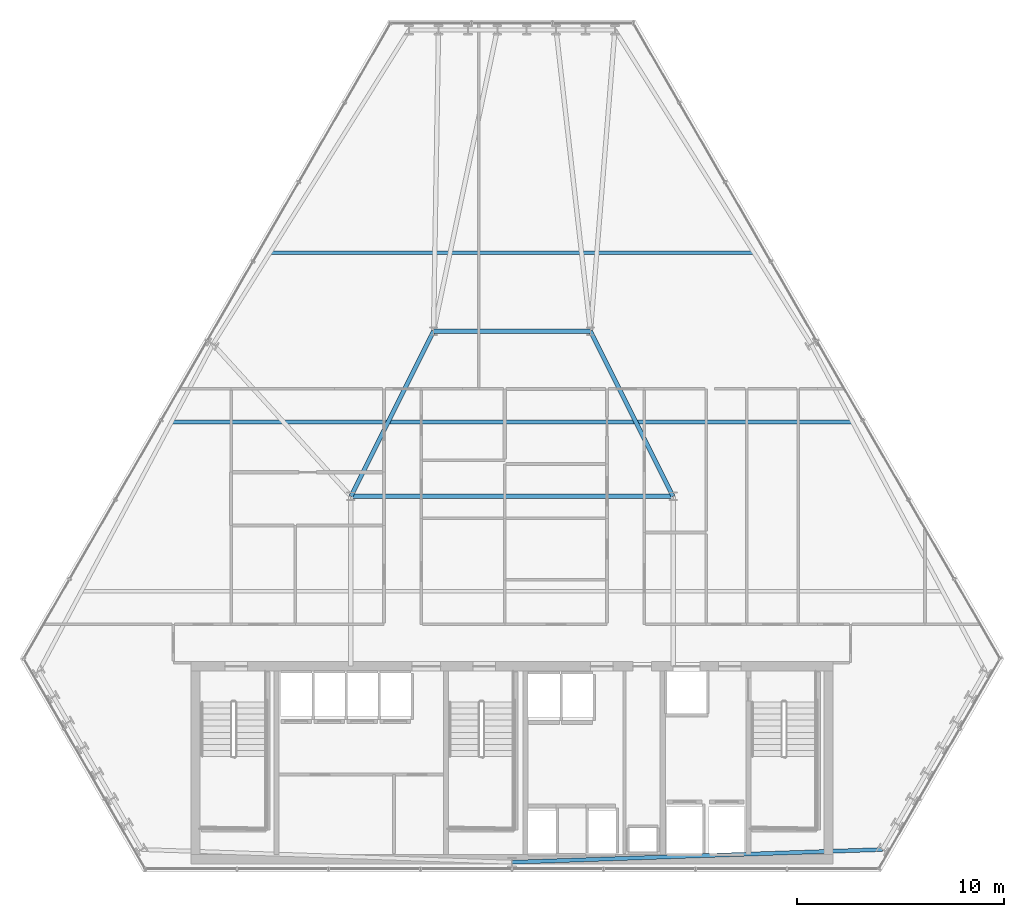
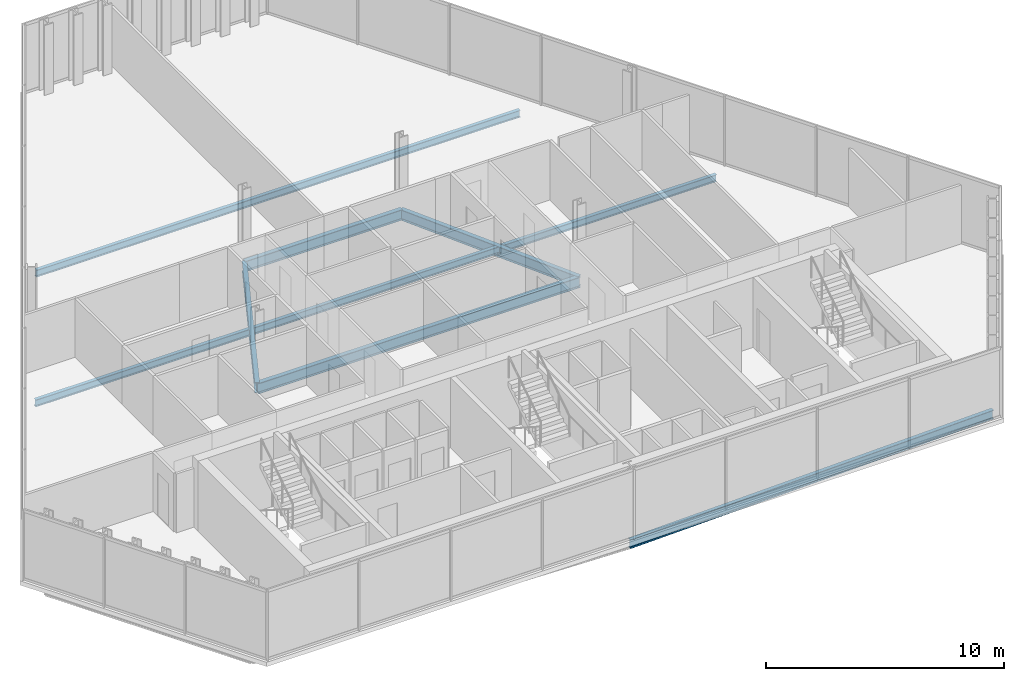
# One storey, part 14 of 31: 7 beams.
"""IFC4 building model written with IfcOpenShell, lengths in metres."""

import ifcopenshell
import ifcopenshell.guid

model = None  # the IFC model being written
_history = None  # IfcOwnerHistory: only IFC2X3 demands one
_inside = {}  # id of a spatial element -> (the spatial element, [elements in it])
_under = {}  # id of a project, library or spatial element -> (it, [spatial elements below it])
_declared = {}  # id of a project -> (the project, [libraries it declares])
_typed = {}  # id of a type object -> (the type object, [elements of that type])
_made_of = {}  # id of a material, layer set ... -> (it, [elements and type objects made of it])


def new_model(schema):
    """Start an empty IFC model of exactly this schema.

    Asked for "IFC4X3", IfcOpenShell would pick the latest addendum, in which some entities
    have other attributes; the version numbers below select the first issue.
    IFC2X3 requires an IfcOwnerHistory on every rooted entity: one is made here for all.
    """
    global model, _history
    if schema == "IFC4X3":
        model = ifcopenshell.file(schema_version=(4, 3, 0, 0))
    else:
        model = ifcopenshell.file(schema=schema)
    _inside.clear()
    _under.clear()
    _declared.clear()
    _typed.clear()
    _made_of.clear()
    _history = None
    if model.schema == "IFC2X3":
        org = make("IfcOrganization", Name="unknown")
        user = make(
            "IfcPersonAndOrganization",
            ThePerson=make("IfcPerson", FamilyName="unknown"),
            TheOrganization=org,
        )
        app = make(
            "IfcApplication",
            ApplicationDeveloper=org,
            Version="unknown",
            ApplicationFullName="unknown",
            ApplicationIdentifier="unknown",
        )
        _history = make(
            "IfcOwnerHistory",
            OwningUser=user,
            OwningApplication=app,
            ChangeAction="ADDED",
            CreationDate=0,
        )
    return model


def make(cls, **values):
    """One entity of the class cls with the attributes given. An attribute that is None is left unset."""
    return model.create_entity(
        cls, **{name: value for name, value in values.items() if value is not None}
    )


def rooted(cls, **values):
    """An entity with a GlobalId (a new one), such as an element, a storey or a relation."""
    return make(cls, GlobalId=ifcopenshell.guid.new(), OwnerHistory=_history, **values)


def si_unit(unit_type, name, prefix=None):
    """IfcSIUnit, for example si_unit("LENGTHUNIT", "METRE", prefix="MILLI")."""
    return make("IfcSIUnit", UnitType=unit_type, Prefix=prefix, Name=name)


def assignment(units):
    """IfcUnitAssignment: the units of a project."""
    return None if units is None else make("IfcUnitAssignment", Units=units)


def point(xyz):
    """IfcCartesianPoint."""
    return None if xyz is None else make("IfcCartesianPoint", Coordinates=xyz)


def direction(xyz):
    """IfcDirection."""
    return None if xyz is None else make("IfcDirection", DirectionRatios=xyz)


def frame(location, z_axis=None, x_axis=None):
    """IfcAxis2Placement3D, a coordinate frame: its origin and axes. An axis left out is left unset."""
    return make(
        "IfcAxis2Placement3D",
        Location=point(location),
        Axis=direction(z_axis),
        RefDirection=direction(x_axis),
    )


def frame_2d(location, x_axis=None):
    """IfcAxis2Placement2D, a coordinate frame in the plane: its origin and x axis."""
    return make(
        "IfcAxis2Placement2D", Location=point(location), RefDirection=direction(x_axis)
    )


def origin():
    """The frame at (0, 0, 0) with its axes left unset."""
    return frame((0.0, 0.0, 0.0))


def origin_2d():
    """The frame at (0, 0) in the plane with its x axis left unset."""
    return frame_2d((0.0, 0.0))


def place(relative_to, where):
    """IfcLocalPlacement: puts the frame where relative to a parent placement (None: the world)."""
    return make(
        "IfcLocalPlacement", PlacementRelTo=relative_to, RelativePlacement=where
    )


def context(
    kind, dimensions, precision=None, world=None, true_north=None, identifier=None
):
    """IfcGeometricRepresentationContext, for example the 3D "Model" context."""
    return make(
        "IfcGeometricRepresentationContext",
        ContextIdentifier=identifier,
        ContextType=kind,
        CoordinateSpaceDimension=dimensions,
        Precision=precision,
        WorldCoordinateSystem=world,
        TrueNorth=true_north,
    )


def subcontext(parent, identifier, kind, view, scale=None):
    """IfcGeometricRepresentationSubContext, for example "Body" below "Model"."""
    return make(
        "IfcGeometricRepresentationSubContext",
        ContextIdentifier=identifier,
        ContextType=kind,
        ParentContext=parent,
        TargetScale=scale,
        TargetView=view,
    )


def project(units=None, contexts=None):
    """IfcProject with its units and contexts."""
    return rooted(
        "IfcProject",
        Name="project",
        RepresentationContexts=contexts,
        UnitsInContext=assignment(units),
    )


def spatial(cls, under=None, at=None, **own):
    """A site, building, storey or space (cls), placed at a placement, below another one or the project."""
    s = rooted(cls, ObjectPlacement=at, **own)
    if under is not None:
        _under.setdefault(under.id(), (under, []))[1].append(s)
    return s


def profile(cls, at=None, kind="AREA", **sizes):
    """A parametric profile (cls). Its sizes go by their IFC names, for example OverallWidth=200.0."""
    return make(cls, ProfileType=kind, Position=at, **sizes)


def i_section(**sizes):
    """IfcIShapeProfileDef."""
    return profile("IfcIShapeProfileDef", **sizes)


def extrude(swept, where, along, depth):
    """IfcExtrudedAreaSolid: the profile swept, set in the frame where, extruded along a direction by depth."""
    return make(
        "IfcExtrudedAreaSolid",
        SweptArea=swept,
        Position=where,
        ExtrudedDirection=direction(along),
        Depth=depth,
    )


def shape(context_of_items, identifier, shape_type, items):
    """IfcShapeRepresentation: the items that make up one representation, for example the "Body"."""
    return make(
        "IfcShapeRepresentation",
        ContextOfItems=context_of_items,
        RepresentationIdentifier=identifier,
        RepresentationType=shape_type,
        Items=items,
    )


def material(Name=None, Category=None):
    """IfcMaterial."""
    return make("IfcMaterial", Name=Name, Category=Category)


def material_profile(
    of_material, cross_section, Name=None, Category=None, Priority=None
):
    """IfcMaterialProfile: a cross section and its material."""
    return make(
        "IfcMaterialProfile",
        Name=Name,
        Material=of_material,
        Profile=cross_section,
        Priority=Priority,
        Category=Category,
    )


def profile_set(profiles, Name=None, composite=None):
    """IfcMaterialProfileSet."""
    return make(
        "IfcMaterialProfileSet",
        Name=Name,
        MaterialProfiles=profiles,
        CompositeProfile=composite,
    )


def made_of(thing, what):
    """Note that an element or type object is made of a material, layer set ...; save() writes the relation."""
    if what is not None:
        _made_of.setdefault(what.id(), (what, []))[1].append(thing)
    return thing


def type_object(cls, material=None, **own):
    """A type object (cls), such as IfcWallType, which elements share."""
    return made_of(rooted(cls, **own), material)


def element(
    cls,
    number,
    at=None,
    inside=None,
    cuts=None,
    type_object=None,
    material=None,
    context=None,
    identifier="Body",
    shape_type=None,
    held_by="IfcProductDefinitionShape",
    body=None,
    shapes=None,
    **own,
):
    """One element of the class cls, such as IfcWall. Its Tag is "e" and its number.

    at: its placement. inside: the storey or other place that contains it. cuts: it is an
    opening in that element (IfcRelVoidsElement). A single representation is given by context,
    identifier, shape_type and body (its items); several are given by shapes. held_by: the class
    of the entity that holds the representations. save() writes the other relations.
    """
    e = rooted(cls, Tag="e%d" % number, ObjectPlacement=at, **own)
    if body is not None:
        shapes = [shape(context, identifier, shape_type, body)]
    if shapes is not None:
        e.Representation = make(held_by, Representations=shapes)
    if inside is not None:
        _inside.setdefault(inside.id(), (inside, []))[1].append(e)
    if cuts is not None:
        rooted(
            "IfcRelVoidsElement", RelatingBuildingElement=cuts, RelatedOpeningElement=e
        )
    if type_object is not None:
        _typed.setdefault(type_object.id(), (type_object, []))[1].append(e)
    return made_of(e, material)


def aggregate(whole, parts):
    """IfcRelAggregates: a whole, such as a stair, and the parts it consists of."""
    return rooted("IfcRelAggregates", RelatingObject=whole, RelatedObjects=parts)


def save(model, path):
    """Write the relations noted so far, then the file.

    IfcRelAggregates (storeys below a building ...), IfcRelContainedInSpatialStructure (elements
    in a storey), IfcRelDefinesByType, IfcRelAssociatesMaterial and IfcRelDeclares: one each for
    every whole, place, type object, material and project.
    """
    for whole, parts in _under.values():
        aggregate(whole, parts)
    for where, things in _inside.values():
        rooted(
            "IfcRelContainedInSpatialStructure",
            RelatedElements=things,
            RelatingStructure=where,
        )
    for kind, things in _typed.values():
        rooted("IfcRelDefinesByType", RelatedObjects=things, RelatingType=kind)
    for what, things in _made_of.values():
        rooted("IfcRelAssociatesMaterial", RelatedObjects=things, RelatingMaterial=what)
    for by, libraries in _declared.values():
        rooted("IfcRelDeclares", RelatingContext=by, RelatedDefinitions=libraries)
    model.write(path)


model = new_model("IFC4")

# Units and contexts
model_context = context("Model", 3, precision=1e-05, world=origin(), true_north=direction((0.0, 1.0)))
body_context = subcontext(model_context, "Body", "Model", "MODEL_VIEW")
ifc_project = project(units=[si_unit("LENGTHUNIT", "METRE"), si_unit("AREAUNIT", "SQUARE_METRE"), si_unit("VOLUMEUNIT", "CUBIC_METRE"), si_unit("PLANEANGLEUNIT", "RADIAN"), si_unit("MASSUNIT", "GRAM", prefix="KILO")], contexts=[model_context])

# Site, building, storey
site_placement = place(None, origin())
site = spatial("IfcSite", under=ifc_project, at=site_placement, CompositionType="ELEMENT")
building_placement = place(site_placement, origin())
building = spatial("IfcBuilding", under=site, at=building_placement, Name="Ndaravel Arena Tower", CompositionType="ELEMENT")
storey_placement = place(building_placement, frame((0.0, 0.0, 142.199951171875)))
storey = spatial("IfcBuildingStorey", under=building, at=storey_placement, Name="L33", CompositionType="ELEMENT", Elevation=142.199951171875)

# Beams
ifc_material_1 = material(Name="Steel S355", Category="steel")
ifc_material_profile_1 = material_profile(ifc_material_1, i_section(OverallWidth=0.210693359375, OverallDepth=0.53955078125, WebThickness=0.01171875, FlangeThickness=0.018798828125, FilletRadius=0.0126953125, at=origin_2d()), Name="UB 533x210x109")
ifc_profile_set_1 = profile_set([ifc_material_profile_1], Name="Steel S355")
beam_type_1 = type_object("IfcBeamType", Name="BM-GIRD-UB533", PredefinedType="BEAM", material=ifc_profile_set_1)
beam_1_placement = place(storey_placement, frame((34.199951171875, 23.199951171875, -0.48974609375), z_axis=(1.0, 0.0, 0.0), x_axis=(0.0, 1.0, 0.0)))
element("IfcBeam", 1, at=beam_1_placement, inside=storey, type_object=beam_type_1, Name="L33 Spine Link Girder SLG-03", PredefinedType="BEAM", context=body_context, shape_type="SweptSolid", body=[
    extrude(i_section(OverallWidth=0.210693359375, OverallDepth=0.53955078125, WebThickness=0.01171875, FlangeThickness=0.018798828125, FilletRadius=0.0126953125, at=origin_2d()), origin(), (0.0, 0.0, 1.0), 15.60009765625),
])
for number, where, z_axis, x_axis, name in (
    (2, (34.199951171875, 23.199951171875, -0.48974609375), (0.4472135955, 0.894427191, 0.0), (-0.894427191, 0.4472135955, 0.0), "L33 Spine Link Girder SLG-04"),
    (3, (49.800048828125, 23.199951171875, -0.48974609375), (-0.4472135955, 0.894427191, 0.0), (-0.894427191, -0.4472135955, 0.0), "L33 Spine Link Girder SLG-05"),
):
    element("IfcBeam", number, at=place(storey_placement, frame(where, z_axis=z_axis, x_axis=x_axis)), inside=storey, type_object=beam_type_1, Name=name, PredefinedType="BEAM", context=body_context, shape_type="SweptSolid", body=[
        extrude(i_section(OverallWidth=0.210693359375, OverallDepth=0.53955078125, WebThickness=0.01171875, FlangeThickness=0.018798828125, FilletRadius=0.0126953125, at=origin_2d()), origin(), (0.0, 0.0, 1.0), 8.9443359375),
    ])
beam_2_placement = place(storey_placement, frame((38.199951171875, 31.199951171875, -0.48974609375), z_axis=(1.0, 0.0, 0.0), x_axis=(0.0, 1.0, 0.0)))
element("IfcBeam", 4, at=beam_2_placement, inside=storey, type_object=beam_type_1, Name="L33 Spine Link Girder SLG-06", PredefinedType="BEAM", context=body_context, shape_type="SweptSolid", body=[
    extrude(i_section(OverallWidth=0.210693359375, OverallDepth=0.53955078125, WebThickness=0.01171875, FlangeThickness=0.018798828125, FilletRadius=0.0126953125, at=origin_2d()), origin(), (0.0, 0.0, 1.0), 7.60009765625),
])
ifc_material_2 = material(Name="Steel S355", Category="steel")
ifc_material_profile_2 = material_profile(ifc_material_2, i_section(OverallWidth=0.172119140625, OverallDepth=0.35791015625, WebThickness=0.008056640625, FlangeThickness=0.012939453125, FilletRadius=0.01025390625, at=origin_2d()), Name="UB 356x171x57")
ifc_profile_set_2 = profile_set([ifc_material_profile_2], Name="Steel S355")
beam_type_2 = type_object("IfcBeamType", Name="BM-JOIST-UB356", PredefinedType="JOIST", material=ifc_profile_set_2)
beam_3_placement = place(storey_placement, frame((25.513671875, 26.800048828125, -0.39892578125), z_axis=(1.0, 0.0, 0.0), x_axis=(0.0, 1.0, 0.0)))
element("IfcBeam", 5, at=beam_3_placement, inside=storey, type_object=beam_type_2, Name="L33 Composite Floor Joist FJ-02", PredefinedType="JOIST", context=body_context, shape_type="SweptSolid", body=[
    extrude(i_section(OverallWidth=0.172119140625, OverallDepth=0.35791015625, WebThickness=0.008056640625, FlangeThickness=0.012939453125, FilletRadius=0.01025390625, at=origin_2d()), origin(), (0.0, 0.0, 1.0), 32.97265625),
])
beam_4_placement = place(storey_placement, frame((30.2861328125, 35.0, -0.39892578125), z_axis=(1.0, 0.0, 0.0), x_axis=(0.0, 1.0, 0.0)))
element("IfcBeam", 6, at=beam_4_placement, inside=storey, type_object=beam_type_2, Name="L33 Composite Floor Joist FJ-03", PredefinedType="JOIST", context=body_context, shape_type="SweptSolid", body=[
    extrude(i_section(OverallWidth=0.172119140625, OverallDepth=0.35791015625, WebThickness=0.008056640625, FlangeThickness=0.012939453125, FilletRadius=0.01025390625, at=origin_2d()), origin(), (0.0, 0.0, 1.0), 23.427734375),
])
ifc_material_3 = material(Name="Steel S355", Category="steel")
ifc_material_profile_3 = material_profile(ifc_material_3, i_section(OverallWidth=0.18994140625, OverallDepth=0.449951171875, WebThickness=0.009521484375, FlangeThickness=0.0146484375, FilletRadius=0.02099609375, at=origin_2d()), Name="IPE 450")
ifc_profile_set_3 = profile_set([ifc_material_profile_3], Name="Steel S355")
beam_type_3 = type_object("IfcBeamType", Name="BM-SPAN-IPE450", PredefinedType="SPANDREL", material=ifc_profile_set_3)
beam_5_placement = place(storey_placement, frame((42.0, 5.47998046875, -0.445068359375), z_axis=(0.99940958159, 0.03435823374, 0.0), x_axis=(-0.03435823374, 0.99940958159, 0.0)))
element("IfcBeam", 7, at=beam_5_placement, inside=storey, type_object=beam_type_3, Name="L33 Perimeter Spandrel Beam SP-01", PredefinedType="SPANDREL", context=body_context, shape_type="SweptSolid", body=[
    extrude(i_section(OverallWidth=0.18994140625, OverallDepth=0.449951171875, WebThickness=0.009521484375, FlangeThickness=0.0146484375, FilletRadius=0.02099609375, at=origin_2d()), origin(), (0.0, 0.0, 1.0), 17.94189453125),
])

save(model, "model.ifc")
